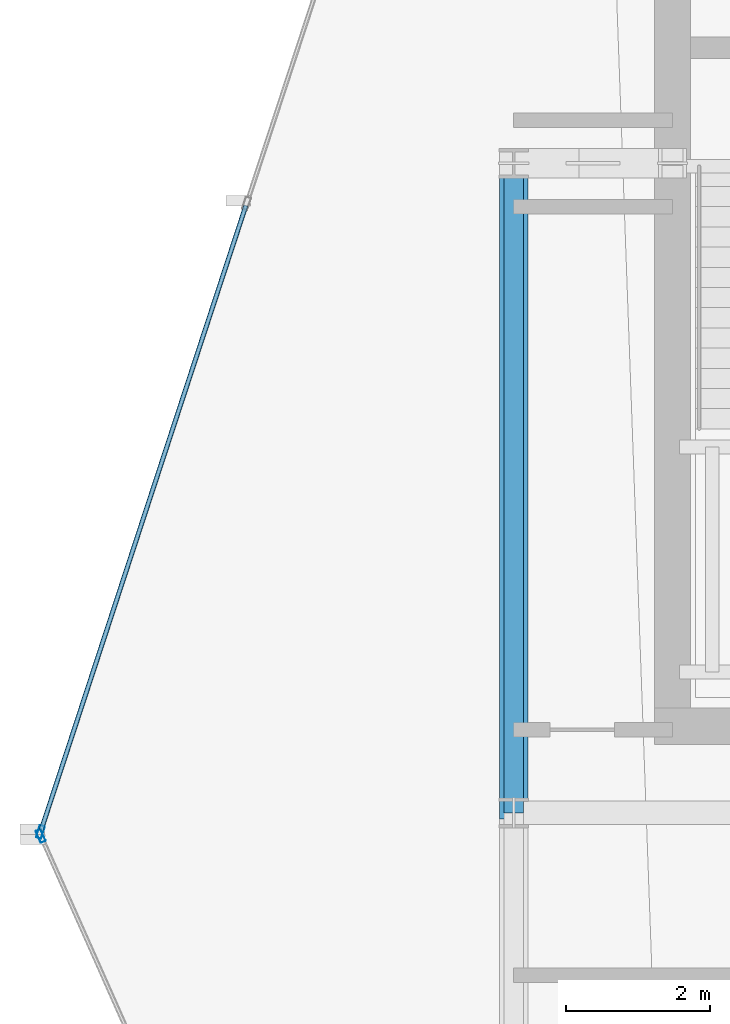
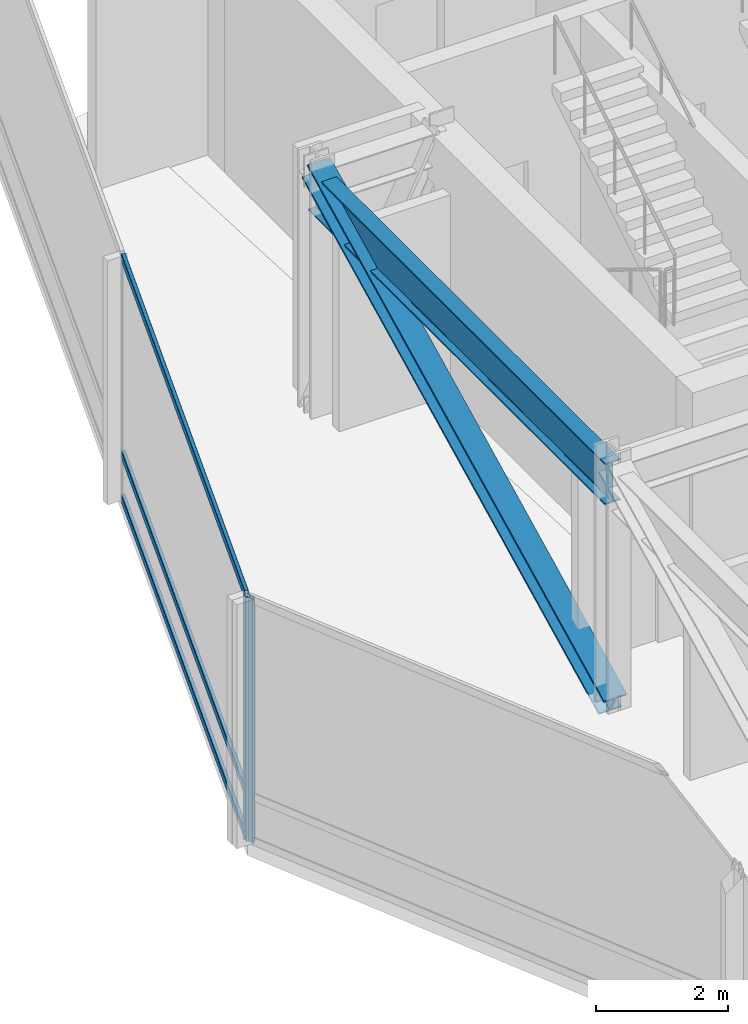
# One storey, part 6 of 30: 6 members, 1 beam, 2 elements without a shape of their own.
"""IFC4 building model written with IfcOpenShell, lengths in metres."""

from ifc_helpers import new_model, si_unit, direction, frame, origin, origin_2d, place, context, subcontext, project, spatial, hollow_rectangle, i_section, extrude, material, layer, layer_set, material_profile, profile_set, type_object, element, aggregate, save


model = new_model("IFC4")

# Units and contexts
model_context = context("Model", 3, precision=1e-05, world=origin(), true_north=direction((0.0, 1.0)))
body_context = subcontext(model_context, "Body", "Model", "MODEL_VIEW")
ifc_project = project(units=[si_unit("LENGTHUNIT", "METRE"), si_unit("AREAUNIT", "SQUARE_METRE"), si_unit("VOLUMEUNIT", "CUBIC_METRE"), si_unit("PLANEANGLEUNIT", "RADIAN"), si_unit("MASSUNIT", "GRAM", prefix="KILO")], contexts=[model_context])

# Site, building, storey
site_placement = place(None, origin())
site = spatial("IfcSite", under=ifc_project, at=site_placement, CompositionType="ELEMENT")
building_placement = place(site_placement, origin())
building = spatial("IfcBuilding", under=site, at=building_placement, Name="Solvaryn Broadcast Tower", CompositionType="ELEMENT")
storey_placement = place(building_placement, frame((0.0, 0.0, 196.39990234375)))
storey = spatial("IfcBuildingStorey", under=building, at=storey_placement, Name="L49", CompositionType="ELEMENT", Elevation=196.39990234375)

# Beam
ifc_material_1 = material(Name="Steel ASTM A992 Grade 50", Category="steel")
ifc_material_profile_1 = material_profile(ifc_material_1, i_section(OverallWidth=0.26708984375, OverallDepth=0.76611328125, WebThickness=0.014892578125, FlangeThickness=0.023681640625, FilletRadius=0.01806640625, at=origin_2d()))
ifc_profile_set_1 = profile_set([ifc_material_profile_1], Name="Steel ASTM A992 Grade 50")
beam_type = type_object("IfcBeamType", Name="BM-SP2-W30X124", PredefinedType="USERDEFINED", material=ifc_profile_set_1)
beam_placement = place(storey_placement, frame((9.0, 27.0, 4.13720703125), z_axis=(0.0, 1.0, 0.0), x_axis=(-1.0, 0.0, 0.0)))
element("IfcBeam", 1, at=beam_placement, inside=storey, type_object=beam_type, Name="L49 Spandrel Beam Y (27-36 @ X=9)", ObjectType="SPANDREL", PredefinedType="USERDEFINED", context=body_context, shape_type="SweptSolid", body=[
    extrude(i_section(OverallWidth=0.26708984375, OverallDepth=0.76611328125, WebThickness=0.014892578125, FlangeThickness=0.023681640625, FilletRadius=0.01806640625, at=origin_2d()), origin(), (0.0, 0.0, 1.0), 9.0),
])

# Curtain wall, member
ifc_material_2 = material(Name="Aluminium and Terracotta Unitised Curtain Wall", Category="masonry")
ifc_layer = layer(ifc_material_2, 0.199951171875)
ifc_layer_set = layer_set([ifc_layer], Name="CW-SYS2-LOWMID")
curtain_wall_type = type_object("IfcCurtainWallType", Name="CW-SYS2-LOWMID", PredefinedType="NOTDEFINED", material=ifc_layer_set)
curtain_wall_1_placement = place(storey_placement, origin())
curtain_wall_1 = element("IfcCurtainWall", 2, at=curtain_wall_1_placement, inside=storey, type_object=curtain_wall_type, Name="L49 Curtain Wall DR1", PredefinedType="NOTDEFINED")
ifc_material_3 = material(Name="Anodised Aluminium 6063-T6", Category="aluminium")
ifc_material_profile_2 = material_profile(ifc_material_3, hollow_rectangle(XDim=0.074951171875, YDim=0.179931640625, WallThickness=0.00390625, InnerFilletRadius=0.00390625, OuterFilletRadius=0.008056640625, at=origin_2d()))
ifc_profile_set_2 = profile_set([ifc_material_profile_2], Name="Anodised Aluminium 6063-T6")
member_type_1 = type_object("IfcMemberType", Name="CW-MUL-180", PredefinedType="MULLION", material=ifc_profile_set_2)
member_1_placement = place(storey_placement, frame((2.4423828125, 26.734619140625, 0.0), z_axis=(0.0, 0.0, 1.0), x_axis=(0.950226902099, -0.311558717623, 0.0)))
member_1 = element("IfcMember", 3, at=member_1_placement, type_object=member_type_1, Name="CWS2 mullion 3", PredefinedType="MULLION", context=body_context, shape_type="SweptSolid", body=[
    extrude(hollow_rectangle(XDim=0.074951171875, YDim=0.179931640625, WallThickness=0.00390625, InnerFilletRadius=0.00390625, OuterFilletRadius=0.008056640625, at=origin_2d()), origin(), (0.0, 0.0, 1.0), 4.52001953125),
])

curtain_wall_2_placement = place(storey_placement, origin())
curtain_wall_2 = element("IfcCurtainWall", 4, at=curtain_wall_2_placement, inside=storey, type_object=curtain_wall_type, Name="L49 Curtain Wall DR2", PredefinedType="NOTDEFINED")
member_2_placement = place(storey_placement, frame((2.445068359375, 26.678466796875, 0.0), z_axis=(0.0, 0.0, 1.0), x_axis=(0.913916902365, 0.405901337237, 0.0)))
member_2 = element("IfcMember", 5, at=member_2_placement, type_object=member_type_1, Name="CWS2 mullion 1", PredefinedType="MULLION", context=body_context, shape_type="SweptSolid", body=[
    extrude(hollow_rectangle(XDim=0.074951171875, YDim=0.179931640625, WallThickness=0.00390625, InnerFilletRadius=0.00390625, OuterFilletRadius=0.008056640625, at=origin_2d()), origin(), (0.0, 0.0, 1.0), 4.52001953125),
])
aggregate(curtain_wall_2, [member_2])

# Member
ifc_material_4 = material(Name="Anodised Aluminium 6063-T6", Category="aluminium")
ifc_material_profile_3 = material_profile(ifc_material_4, hollow_rectangle(XDim=0.06494140625, YDim=0.14990234375, WallThickness=0.00390625, InnerFilletRadius=0.00390625, OuterFilletRadius=0.008056640625, at=origin_2d()))
ifc_profile_set_3 = profile_set([ifc_material_profile_3], Name="Anodised Aluminium 6063-T6")
member_type_2 = type_object("IfcMemberType", Name="CW-TRN-150", PredefinedType="USERDEFINED", material=ifc_profile_set_3)
member_3_placement = place(storey_placement, frame((5.28857421875, 35.41552734375, 0.030029296875), z_axis=(-0.311550669172, -0.950229540973, 0.0), x_axis=(0.950229540973, -0.311550669172, 0.0)))
member_3 = element("IfcMember", 6, at=member_3_placement, type_object=member_type_2, Name="CWS2 transom 2.1", ObjectType="TRANSOM", PredefinedType="USERDEFINED", context=body_context, shape_type="SweptSolid", body=[
    extrude(hollow_rectangle(XDim=0.06494140625, YDim=0.14990234375, WallThickness=0.00390625, InnerFilletRadius=0.00390625, OuterFilletRadius=0.008056640625, at=origin_2d()), origin(), (0.0, 0.0, 1.0), 9.105712890625),
])

member_4_placement = place(storey_placement, frame((5.28857421875, 35.41552734375, 0.85009765625), z_axis=(-0.311550669172, -0.950229540973, 0.0), x_axis=(0.950229540973, -0.311550669172, 0.0)))
member_4 = element("IfcMember", 7, at=member_4_placement, type_object=member_type_2, Name="CWS2 transom 2.2", ObjectType="TRANSOM", PredefinedType="USERDEFINED", context=body_context, shape_type="SweptSolid", body=[
    extrude(hollow_rectangle(XDim=0.06494140625, YDim=0.14990234375, WallThickness=0.00390625, InnerFilletRadius=0.00390625, OuterFilletRadius=0.008056640625, at=origin_2d()), origin(), (0.0, 0.0, 1.0), 9.105712890625),
])

member_5_placement = place(storey_placement, frame((5.28857421875, 35.41552734375, 4.489990234375), z_axis=(-0.311550669172, -0.950229540973, 0.0), x_axis=(0.950229540973, -0.311550669172, 0.0)))
member_5 = element("IfcMember", 8, at=member_5_placement, type_object=member_type_2, Name="CWS2 transom 2.3", ObjectType="TRANSOM", PredefinedType="USERDEFINED", context=body_context, shape_type="SweptSolid", body=[
    extrude(hollow_rectangle(XDim=0.06494140625, YDim=0.14990234375, WallThickness=0.00390625, InnerFilletRadius=0.00390625, OuterFilletRadius=0.008056640625, at=origin_2d()), origin(), (0.0, 0.0, 1.0), 9.105712890625),
])

aggregate(curtain_wall_1, [member_1, member_3, member_4, member_5])

ifc_material_5 = material(Name="Steel ASTM A913 Grade 65", Category="steel")
ifc_material_profile_4 = material_profile(ifc_material_5, i_section(OverallWidth=0.39697265625, OverallDepth=0.386962890625, WebThickness=0.02099609375, FlangeThickness=0.033203125, FilletRadius=0.014892578125, at=origin_2d()))
ifc_profile_set_4 = profile_set([ifc_material_profile_4], Name="Steel ASTM A913 Grade 65")
member_type_3 = type_object("IfcMemberType", Name="MB-BELT-2", PredefinedType="BRACE", material=ifc_profile_set_4)
member_6_placement = place(storey_placement, frame((9.0, 27.0, 0.02001953125), z_axis=(0.0, 0.895222302563, 0.44561982563), x_axis=(-1.0, 0.0, 0.0)))
element("IfcMember", 9, at=member_6_placement, inside=storey, type_object=member_type_3, Name="L49 West Belt Diagonal 4", PredefinedType="BRACE", context=body_context, shape_type="SweptSolid", body=[
    extrude(i_section(OverallWidth=0.39697265625, OverallDepth=0.386962890625, WebThickness=0.02099609375, FlangeThickness=0.033203125, FilletRadius=0.014892578125, at=origin_2d()), origin(), (0.0, 0.0, 1.0), 10.053466796875),
])

save(model, "model.ifc")
